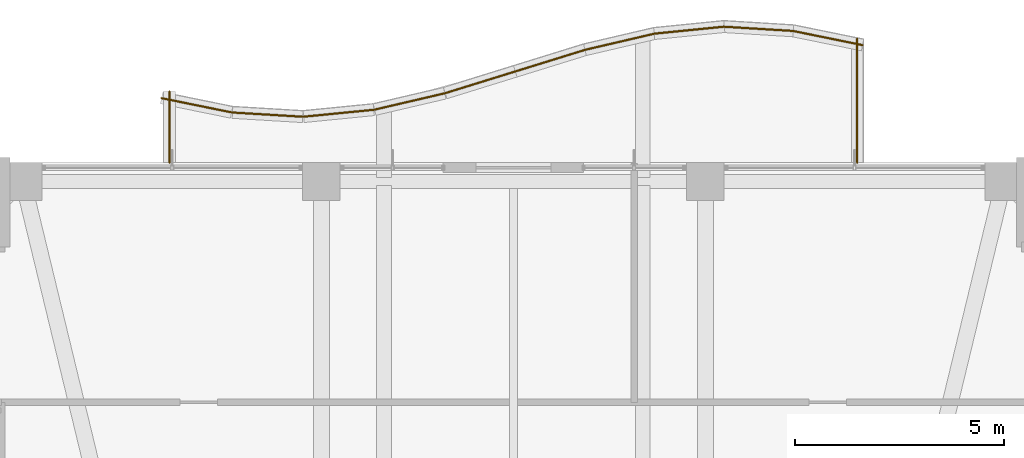
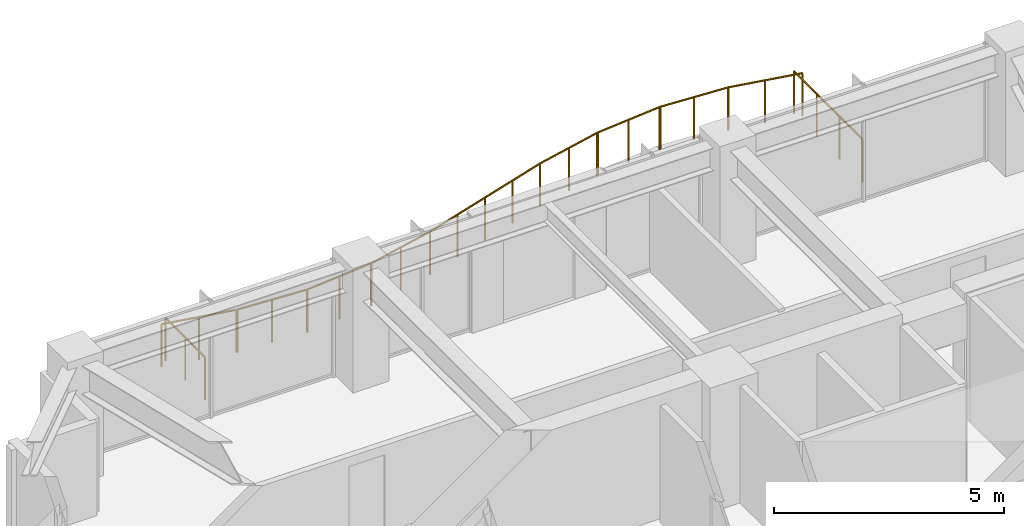
# One storey, part 31 of 31: 12 railings.
"""IFC4 building model written with IfcOpenShell, lengths in metres."""

import ifcopenshell
import ifcopenshell.guid

model = None  # the IFC model being written
_history = None  # IfcOwnerHistory: only IFC2X3 demands one
_inside = {}  # id of a spatial element -> (the spatial element, [elements in it])
_under = {}  # id of a project, library or spatial element -> (it, [spatial elements below it])
_declared = {}  # id of a project -> (the project, [libraries it declares])
_typed = {}  # id of a type object -> (the type object, [elements of that type])
_made_of = {}  # id of a material, layer set ... -> (it, [elements and type objects made of it])


def new_model(schema):
    """Start an empty IFC model of exactly this schema.

    Asked for "IFC4X3", IfcOpenShell would pick the latest addendum, in which some entities
    have other attributes; the version numbers below select the first issue.
    IFC2X3 requires an IfcOwnerHistory on every rooted entity: one is made here for all.
    """
    global model, _history
    if schema == "IFC4X3":
        model = ifcopenshell.file(schema_version=(4, 3, 0, 0))
    else:
        model = ifcopenshell.file(schema=schema)
    _inside.clear()
    _under.clear()
    _declared.clear()
    _typed.clear()
    _made_of.clear()
    _history = None
    if model.schema == "IFC2X3":
        org = make("IfcOrganization", Name="unknown")
        user = make(
            "IfcPersonAndOrganization",
            ThePerson=make("IfcPerson", FamilyName="unknown"),
            TheOrganization=org,
        )
        app = make(
            "IfcApplication",
            ApplicationDeveloper=org,
            Version="unknown",
            ApplicationFullName="unknown",
            ApplicationIdentifier="unknown",
        )
        _history = make(
            "IfcOwnerHistory",
            OwningUser=user,
            OwningApplication=app,
            ChangeAction="ADDED",
            CreationDate=0,
        )
    return model


def make(cls, **values):
    """One entity of the class cls with the attributes given. An attribute that is None is left unset."""
    return model.create_entity(
        cls, **{name: value for name, value in values.items() if value is not None}
    )


def rooted(cls, **values):
    """An entity with a GlobalId (a new one), such as an element, a storey or a relation."""
    return make(cls, GlobalId=ifcopenshell.guid.new(), OwnerHistory=_history, **values)


def si_unit(unit_type, name, prefix=None):
    """IfcSIUnit, for example si_unit("LENGTHUNIT", "METRE", prefix="MILLI")."""
    return make("IfcSIUnit", UnitType=unit_type, Prefix=prefix, Name=name)


def assignment(units):
    """IfcUnitAssignment: the units of a project."""
    return None if units is None else make("IfcUnitAssignment", Units=units)


def point(xyz):
    """IfcCartesianPoint."""
    return None if xyz is None else make("IfcCartesianPoint", Coordinates=xyz)


def direction(xyz):
    """IfcDirection."""
    return None if xyz is None else make("IfcDirection", DirectionRatios=xyz)


def frame(location, z_axis=None, x_axis=None):
    """IfcAxis2Placement3D, a coordinate frame: its origin and axes. An axis left out is left unset."""
    return make(
        "IfcAxis2Placement3D",
        Location=point(location),
        Axis=direction(z_axis),
        RefDirection=direction(x_axis),
    )


def frame_2d(location, x_axis=None):
    """IfcAxis2Placement2D, a coordinate frame in the plane: its origin and x axis."""
    return make(
        "IfcAxis2Placement2D", Location=point(location), RefDirection=direction(x_axis)
    )


def origin():
    """The frame at (0, 0, 0) with its axes left unset."""
    return frame((0.0, 0.0, 0.0))


def origin_2d():
    """The frame at (0, 0) in the plane with its x axis left unset."""
    return frame_2d((0.0, 0.0))


def place(relative_to, where):
    """IfcLocalPlacement: puts the frame where relative to a parent placement (None: the world)."""
    return make(
        "IfcLocalPlacement", PlacementRelTo=relative_to, RelativePlacement=where
    )


def context(
    kind, dimensions, precision=None, world=None, true_north=None, identifier=None
):
    """IfcGeometricRepresentationContext, for example the 3D "Model" context."""
    return make(
        "IfcGeometricRepresentationContext",
        ContextIdentifier=identifier,
        ContextType=kind,
        CoordinateSpaceDimension=dimensions,
        Precision=precision,
        WorldCoordinateSystem=world,
        TrueNorth=true_north,
    )


def subcontext(parent, identifier, kind, view, scale=None):
    """IfcGeometricRepresentationSubContext, for example "Body" below "Model"."""
    return make(
        "IfcGeometricRepresentationSubContext",
        ContextIdentifier=identifier,
        ContextType=kind,
        ParentContext=parent,
        TargetScale=scale,
        TargetView=view,
    )


def project(units=None, contexts=None):
    """IfcProject with its units and contexts."""
    return rooted(
        "IfcProject",
        Name="project",
        RepresentationContexts=contexts,
        UnitsInContext=assignment(units),
    )


def spatial(cls, under=None, at=None, **own):
    """A site, building, storey or space (cls), placed at a placement, below another one or the project."""
    s = rooted(cls, ObjectPlacement=at, **own)
    if under is not None:
        _under.setdefault(under.id(), (under, []))[1].append(s)
    return s


def profile(cls, at=None, kind="AREA", **sizes):
    """A parametric profile (cls). Its sizes go by their IFC names, for example OverallWidth=200.0."""
    return make(cls, ProfileType=kind, Position=at, **sizes)


def circle(**sizes):
    """IfcCircleProfileDef."""
    return profile("IfcCircleProfileDef", **sizes)


def extrude(swept, where, along, depth):
    """IfcExtrudedAreaSolid: the profile swept, set in the frame where, extruded along a direction by depth."""
    return make(
        "IfcExtrudedAreaSolid",
        SweptArea=swept,
        Position=where,
        ExtrudedDirection=direction(along),
        Depth=depth,
    )


def shape(context_of_items, identifier, shape_type, items):
    """IfcShapeRepresentation: the items that make up one representation, for example the "Body"."""
    return make(
        "IfcShapeRepresentation",
        ContextOfItems=context_of_items,
        RepresentationIdentifier=identifier,
        RepresentationType=shape_type,
        Items=items,
    )


def material(Name=None, Category=None):
    """IfcMaterial."""
    return make("IfcMaterial", Name=Name, Category=Category)


def made_of(thing, what):
    """Note that an element or type object is made of a material, layer set ...; save() writes the relation."""
    if what is not None:
        _made_of.setdefault(what.id(), (what, []))[1].append(thing)
    return thing


def type_object(cls, material=None, **own):
    """A type object (cls), such as IfcWallType, which elements share."""
    return made_of(rooted(cls, **own), material)


def element(
    cls,
    number,
    at=None,
    inside=None,
    cuts=None,
    type_object=None,
    material=None,
    context=None,
    identifier="Body",
    shape_type=None,
    held_by="IfcProductDefinitionShape",
    body=None,
    shapes=None,
    **own,
):
    """One element of the class cls, such as IfcWall. Its Tag is "e" and its number.

    at: its placement. inside: the storey or other place that contains it. cuts: it is an
    opening in that element (IfcRelVoidsElement). A single representation is given by context,
    identifier, shape_type and body (its items); several are given by shapes. held_by: the class
    of the entity that holds the representations. save() writes the other relations.
    """
    e = rooted(cls, Tag="e%d" % number, ObjectPlacement=at, **own)
    if body is not None:
        shapes = [shape(context, identifier, shape_type, body)]
    if shapes is not None:
        e.Representation = make(held_by, Representations=shapes)
    if inside is not None:
        _inside.setdefault(inside.id(), (inside, []))[1].append(e)
    if cuts is not None:
        rooted(
            "IfcRelVoidsElement", RelatingBuildingElement=cuts, RelatedOpeningElement=e
        )
    if type_object is not None:
        _typed.setdefault(type_object.id(), (type_object, []))[1].append(e)
    return made_of(e, material)


def aggregate(whole, parts):
    """IfcRelAggregates: a whole, such as a stair, and the parts it consists of."""
    return rooted("IfcRelAggregates", RelatingObject=whole, RelatedObjects=parts)


def save(model, path):
    """Write the relations noted so far, then the file.

    IfcRelAggregates (storeys below a building ...), IfcRelContainedInSpatialStructure (elements
    in a storey), IfcRelDefinesByType, IfcRelAssociatesMaterial and IfcRelDeclares: one each for
    every whole, place, type object, material and project.
    """
    for whole, parts in _under.values():
        aggregate(whole, parts)
    for where, things in _inside.values():
        rooted(
            "IfcRelContainedInSpatialStructure",
            RelatedElements=things,
            RelatingStructure=where,
        )
    for kind, things in _typed.values():
        rooted("IfcRelDefinesByType", RelatedObjects=things, RelatingType=kind)
    for what, things in _made_of.values():
        rooted("IfcRelAssociatesMaterial", RelatedObjects=things, RelatingMaterial=what)
    for by, libraries in _declared.values():
        rooted("IfcRelDeclares", RelatingContext=by, RelatedDefinitions=libraries)
    model.write(path)


model = new_model("IFC4")

# Units and contexts
model_context = context("Model", 3, precision=1e-05, world=origin(), true_north=direction((0.0, 1.0)))
body_context = subcontext(model_context, "Body", "Model", "MODEL_VIEW")
ifc_project = project(units=[si_unit("LENGTHUNIT", "METRE"), si_unit("AREAUNIT", "SQUARE_METRE"), si_unit("VOLUMEUNIT", "CUBIC_METRE"), si_unit("PLANEANGLEUNIT", "RADIAN"), si_unit("MASSUNIT", "GRAM", prefix="KILO")], contexts=[model_context])

# Site, building, storey
site_placement = place(None, origin())
site = spatial("IfcSite", under=ifc_project, at=site_placement, CompositionType="ELEMENT")
building_placement = place(site_placement, origin())
building = spatial("IfcBuilding", under=site, at=building_placement, Name="Kolvaren Belvedere", CompositionType="ELEMENT")
storey_placement = place(building_placement, frame((0.0, 0.0, 131.60009765625)))
storey = spatial("IfcBuildingStorey", under=building, at=storey_placement, Name="L38", CompositionType="ELEMENT", Elevation=131.60009765625)

# Railings
ifc_material = material(Name="Anodised pale-metal aluminium & laminated glass guard", Category="aluminium")
railing_type = type_object("IfcRailingType", Name="RL-GUARD-1150", PredefinedType="GUARDRAIL", material=ifc_material)
railing_1_placement = place(storey_placement, frame((8.239990234375, 18.0, 0.39990234375)))
element("IfcRailing", 1, at=railing_1_placement, inside=storey, type_object=railing_type, Name="L38 Exterior Deck Safety Guard BAL-N-11", PredefinedType="GUARDRAIL", context=body_context, shape_type="SweptSolid", body=[
    extrude(circle(Radius=0.02392578125, at=origin_2d()), frame((0.0, 0.0, 1.1259765625), z_axis=(0.0, 1.0, 0.0), x_axis=(-1.0, 0.0, 0.0)), (0.0, 0.0, 1.0), 2.974853515625),
    extrude(circle(Radius=0.02099609375, at=origin_2d()), origin(), (0.0, 0.0, 1.0), 1.101806640625),
    extrude(circle(Radius=0.02099609375, at=origin_2d()), frame((0.0, 0.99169921875, 0.0)), (0.0, 0.0, 1.0), 1.101806640625),
    extrude(circle(Radius=0.02099609375, at=origin_2d()), frame((0.0, 1.983154296875, 0.0)), (0.0, 0.0, 1.0), 1.101806640625),
    extrude(circle(Radius=0.02099609375, at=origin_2d()), frame((0.0, 2.974853515625, 0.0)), (0.0, 0.0, 1.0), 1.101806640625),
])
railing_2_placement = place(storey_placement, frame((8.367919921875, 20.818115234375, 0.39990234375)))
element("IfcRailing", 2, at=railing_2_placement, inside=storey, type_object=railing_type, Name="L38 Exterior Deck Safety Guard BAL-N-12", PredefinedType="GUARDRAIL", context=body_context, shape_type="SweptSolid", body=[
    extrude(circle(Radius=0.02392578125, at=origin_2d()), frame((0.0, 0.0, 1.1259765625), z_axis=(-0.979867779516, 0.199647526069, 0.0), x_axis=(-0.199647526069, -0.979867779516, 0.0)), (0.0, 0.0, 1.0), 1.71435546875),
    extrude(circle(Radius=0.02099609375, at=origin_2d()), origin(), (0.0, 0.0, 1.0), 1.101806640625),
    extrude(circle(Radius=0.02099609375, at=origin_2d()), frame((-0.83984375, 0.171142578125, 0.0)), (0.0, 0.0, 1.0), 1.101806640625),
    extrude(circle(Radius=0.02099609375, at=origin_2d()), frame((-1.679931640625, 0.34228515625, 0.0)), (0.0, 0.0, 1.0), 1.101806640625),
])
railing_3_placement = place(storey_placement, frame((6.710205078125, 21.157470703125, 0.39990234375)))
element("IfcRailing", 3, at=railing_3_placement, inside=storey, type_object=railing_type, Name="L38 Exterior Deck Safety Guard BAL-N-13", PredefinedType="GUARDRAIL", context=body_context, shape_type="SweptSolid", body=[
    extrude(circle(Radius=0.02392578125, at=origin_2d()), frame((0.0, 0.0, 1.1259765625), z_axis=(-0.998133560666, 0.061068773295, 0.0), x_axis=(-0.061068773295, -0.998133560666, 0.0)), (0.0, 0.0, 1.0), 1.68310546875),
    extrude(circle(Radius=0.02099609375, at=origin_2d()), origin(), (0.0, 0.0, 1.0), 1.101806640625),
    extrude(circle(Radius=0.02099609375, at=origin_2d()), frame((-0.83984375, 0.05126953125, 0.0)), (0.0, 0.0, 1.0), 1.101806640625),
    extrude(circle(Radius=0.02099609375, at=origin_2d()), frame((-1.679931640625, 0.102783203125, 0.0)), (0.0, 0.0, 1.0), 1.101806640625),
])
railing_4_placement = place(storey_placement, frame((5.055908203125, 21.2607421875, 0.39990234375)))
element("IfcRailing", 4, at=railing_4_placement, inside=storey, type_object=railing_type, Name="L38 Exterior Deck Safety Guard BAL-N-14", PredefinedType="GUARDRAIL", context=body_context, shape_type="SweptSolid", body=[
    extrude(circle(Radius=0.02392578125, at=origin_2d()), frame((0.0, 0.0, 1.1259765625), z_axis=(-0.995038621856, -0.099489401517, 0.0), x_axis=(0.099489401517, -0.995038621856, 0.0)), (0.0, 0.0, 1.0), 1.688232421875),
    extrude(circle(Radius=0.02099609375, at=origin_2d()), origin(), (0.0, 0.0, 1.0), 1.101806640625),
    extrude(circle(Radius=0.02099609375, at=origin_2d()), frame((-0.83984375, -0.083984375, 0.0)), (0.0, 0.0, 1.0), 1.101806640625),
    extrude(circle(Radius=0.02099609375, at=origin_2d()), frame((-1.679931640625, -0.16796875, 0.0)), (0.0, 0.0, 1.0), 1.101806640625),
])
railing_5_placement = place(storey_placement, frame((3.396240234375, 21.09619140625, 0.39990234375)))
element("IfcRailing", 5, at=railing_5_placement, inside=storey, type_object=railing_type, Name="L38 Exterior Deck Safety Guard BAL-N-15", PredefinedType="GUARDRAIL", context=body_context, shape_type="SweptSolid", body=[
    extrude(circle(Radius=0.02392578125, at=origin_2d()), frame((0.0, 0.0, 1.1259765625), z_axis=(-0.973890253884, -0.227019323824, 0.0), x_axis=(0.227019323824, -0.973890253884, 0.0)), (0.0, 0.0, 1.0), 1.724853515625),
    extrude(circle(Radius=0.02099609375, at=origin_2d()), origin(), (0.0, 0.0, 1.0), 1.101806640625),
    extrude(circle(Radius=0.02099609375, at=origin_2d()), frame((-0.83984375, -0.19580078125, 0.0)), (0.0, 0.0, 1.0), 1.101806640625),
    extrude(circle(Radius=0.02099609375, at=origin_2d()), frame((-1.679931640625, -0.3916015625, 0.0)), (0.0, 0.0, 1.0), 1.101806640625),
])
railing_6_placement = place(storey_placement, frame((1.727294921875, 20.70751953125, 0.39990234375)))
element("IfcRailing", 6, at=railing_6_placement, inside=storey, type_object=railing_type, Name="L38 Exterior Deck Safety Guard BAL-N-16", PredefinedType="GUARDRAIL", context=body_context, shape_type="SweptSolid", body=[
    extrude(circle(Radius=0.02392578125, at=origin_2d()), frame((0.0, 0.0, 1.1259765625), z_axis=(-0.95524013163, -0.295831524561, 0.0), x_axis=(0.295831524561, -0.95524013163, 0.0)), (0.0, 0.0, 1.0), 1.758544921875),
    extrude(circle(Radius=0.02099609375, at=origin_2d()), origin(), (0.0, 0.0, 1.0), 1.101806640625),
    extrude(circle(Radius=0.02099609375, at=origin_2d()), frame((-0.83984375, -0.26025390625, 0.0)), (0.0, 0.0, 1.0), 1.101806640625),
    extrude(circle(Radius=0.02099609375, at=origin_2d()), frame((-1.679931640625, -0.520263671875, 0.0)), (0.0, 0.0, 1.0), 1.101806640625),
])
railing_7_placement = place(storey_placement, frame((0.04736328125, 20.187255859375, 0.39990234375)))
element("IfcRailing", 7, at=railing_7_placement, inside=storey, type_object=railing_type, Name="L38 Exterior Deck Safety Guard BAL-N-17", PredefinedType="GUARDRAIL", context=body_context, shape_type="SweptSolid", body=[
    extrude(circle(Radius=0.02392578125, at=origin_2d()), frame((0.0, 0.0, 1.1259765625), z_axis=(-0.955252278476, -0.29579229954, 0.0), x_axis=(0.29579229954, -0.955252278476, 0.0)), (0.0, 0.0, 1.0), 1.7587890625),
    extrude(circle(Radius=0.02099609375, at=origin_2d()), origin(), (0.0, 0.0, 1.0), 1.101806640625),
    extrude(circle(Radius=0.02099609375, at=origin_2d()), frame((-0.840087890625, -0.26025390625, 0.0)), (0.0, 0.0, 1.0), 1.101806640625),
    extrude(circle(Radius=0.02099609375, at=origin_2d()), frame((-1.68017578125, -0.520263671875, 0.0)), (0.0, 0.0, 1.0), 1.101806640625),
])
railing_8_placement = place(storey_placement, frame((-1.643798828125, 19.663818359375, 0.39990234375)))
element("IfcRailing", 8, at=railing_8_placement, inside=storey, type_object=railing_type, Name="L38 Exterior Deck Safety Guard BAL-N-18", PredefinedType="GUARDRAIL", context=body_context, shape_type="SweptSolid", body=[
    extrude(circle(Radius=0.02392578125, at=origin_2d()), frame((0.0, 0.0, 1.1259765625), z_axis=(-0.973890253884, -0.227019323824, 0.0), x_axis=(0.227019323824, -0.973890253884, 0.0)), (0.0, 0.0, 1.0), 1.724853515625),
    extrude(circle(Radius=0.02099609375, at=origin_2d()), origin(), (0.0, 0.0, 1.0), 1.101806640625),
    extrude(circle(Radius=0.02099609375, at=origin_2d()), frame((-0.83984375, -0.19580078125, 0.0)), (0.0, 0.0, 1.0), 1.101806640625),
    extrude(circle(Radius=0.02099609375, at=origin_2d()), frame((-1.679931640625, -0.3916015625, 0.0)), (0.0, 0.0, 1.0), 1.101806640625),
])
railing_9_placement = place(storey_placement, frame((-3.34423828125, 19.268798828125, 0.39990234375)))
element("IfcRailing", 9, at=railing_9_placement, inside=storey, type_object=railing_type, Name="L38 Exterior Deck Safety Guard BAL-N-19", PredefinedType="GUARDRAIL", context=body_context, shape_type="SweptSolid", body=[
    extrude(circle(Radius=0.02392578125, at=origin_2d()), frame((0.0, 0.0, 1.1259765625), z_axis=(-0.995153897624, -0.098329649867, 0.0), x_axis=(0.098329649867, -0.995153897624, 0.0)), (0.0, 0.0, 1.0), 1.6884765625),
    extrude(circle(Radius=0.02099609375, at=origin_2d()), origin(), (0.0, 0.0, 1.0), 1.101806640625),
    extrude(circle(Radius=0.02099609375, at=origin_2d()), frame((-0.840087890625, -0.0830078125, 0.0)), (0.0, 0.0, 1.0), 1.101806640625),
    extrude(circle(Radius=0.02099609375, at=origin_2d()), frame((-1.68017578125, -0.166015625, 0.0)), (0.0, 0.0, 1.0), 1.101806640625),
])
railing_10_placement = place(storey_placement, frame((-5.049560546875, 19.102294921875, 0.39990234375)))
element("IfcRailing", 10, at=railing_10_placement, inside=storey, type_object=railing_type, Name="L38 Exterior Deck Safety Guard BAL-N-20", PredefinedType="GUARDRAIL", context=body_context, shape_type="SweptSolid", body=[
    extrude(circle(Radius=0.02392578125, at=origin_2d()), frame((0.0, 0.0, 1.1259765625), z_axis=(-0.998203631072, 0.059912527196, 0.0), x_axis=(-0.059912527196, -0.998203631072, 0.0)), (0.0, 0.0, 1.0), 1.682861328125),
    extrude(circle(Radius=0.02099609375, at=origin_2d()), origin(), (0.0, 0.0, 1.0), 1.101806640625),
    extrude(circle(Radius=0.02099609375, at=origin_2d()), frame((-0.83984375, 0.05029296875, 0.0)), (0.0, 0.0, 1.0), 1.101806640625),
    extrude(circle(Radius=0.02099609375, at=origin_2d()), frame((-1.679931640625, 0.100830078125, 0.0)), (0.0, 0.0, 1.0), 1.101806640625),
])
railing_11_placement = place(storey_placement, frame((-6.751953125, 19.2060546875, 0.39990234375)))
element("IfcRailing", 11, at=railing_11_placement, inside=storey, type_object=railing_type, Name="L38 Exterior Deck Safety Guard BAL-N-21", PredefinedType="GUARDRAIL", context=body_context, shape_type="SweptSolid", body=[
    extrude(circle(Radius=0.02392578125, at=origin_2d()), frame((0.0, 0.0, 1.1259765625), z_axis=(-0.979867779516, 0.199647526069, 0.0), x_axis=(-0.199647526069, -0.979867779516, 0.0)), (0.0, 0.0, 1.0), 1.71435546875),
    extrude(circle(Radius=0.02099609375, at=origin_2d()), origin(), (0.0, 0.0, 1.0), 1.101806640625),
    extrude(circle(Radius=0.02099609375, at=origin_2d()), frame((-0.83984375, 0.171142578125, 0.0)), (0.0, 0.0, 1.0), 1.101806640625),
    extrude(circle(Radius=0.02099609375, at=origin_2d()), frame((-1.679931640625, 0.34228515625, 0.0)), (0.0, 0.0, 1.0), 1.101806640625),
])
railing_12_placement = place(storey_placement, frame((-8.239990234375, 19.705078125, 0.39990234375)))
element("IfcRailing", 12, at=railing_12_placement, inside=storey, type_object=railing_type, Name="L38 Exterior Deck Safety Guard BAL-N-22", PredefinedType="GUARDRAIL", context=body_context, shape_type="SweptSolid", body=[
    extrude(circle(Radius=0.02392578125, at=origin_2d()), frame((0.0, 0.0, 1.1259765625), z_axis=(0.0, -1.0, 0.0), x_axis=(1.0, 0.0, 0.0)), (0.0, 0.0, 1.0), 1.705078125),
    extrude(circle(Radius=0.02099609375, at=origin_2d()), origin(), (0.0, 0.0, 1.0), 1.101806640625),
    extrude(circle(Radius=0.02099609375, at=origin_2d()), frame((0.0, -0.8525390625, 0.0)), (0.0, 0.0, 1.0), 1.101806640625),
    extrude(circle(Radius=0.02099609375, at=origin_2d()), frame((0.0, -1.705078125, 0.0)), (0.0, 0.0, 1.0), 1.101806640625),
])

save(model, "model.ifc")
